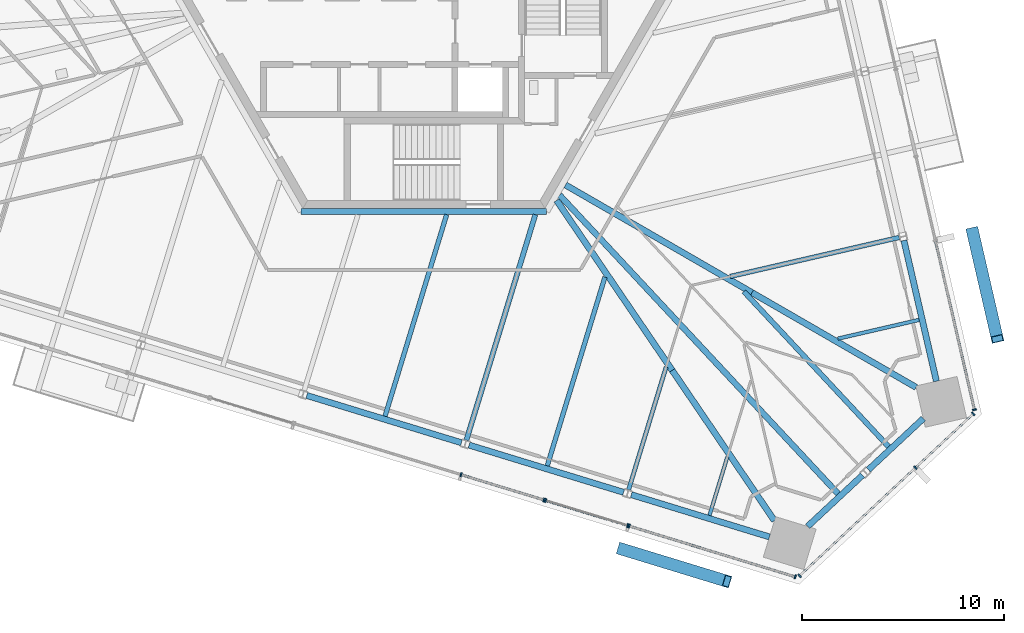
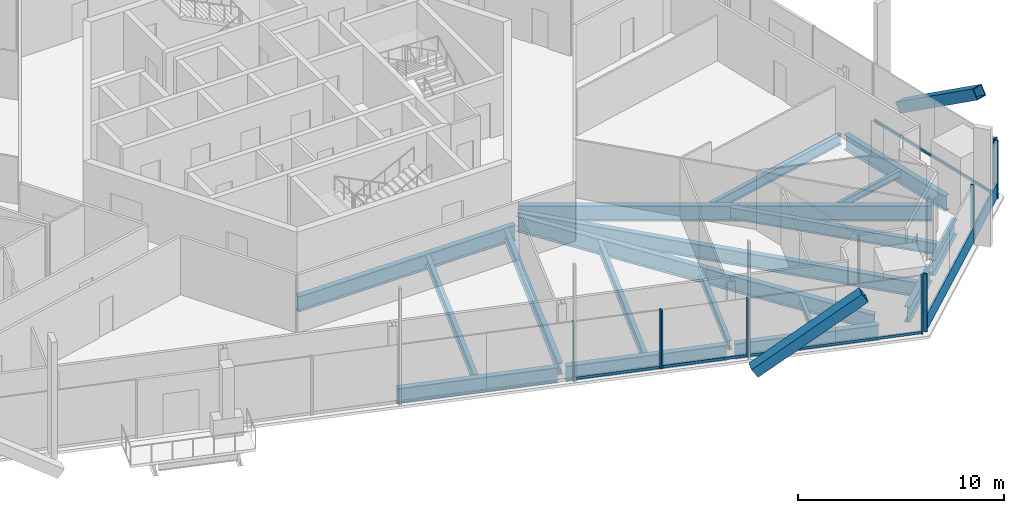
# One storey, part 6 of 24: 20 beams, 18 members, 5 elements without a shape of their own.
"""IFC4 building model written with IfcOpenShell, lengths in metres."""

import ifcopenshell
import ifcopenshell.guid

model = None  # the IFC model being written
_history = None  # IfcOwnerHistory: only IFC2X3 demands one
_inside = {}  # id of a spatial element -> (the spatial element, [elements in it])
_under = {}  # id of a project, library or spatial element -> (it, [spatial elements below it])
_declared = {}  # id of a project -> (the project, [libraries it declares])
_typed = {}  # id of a type object -> (the type object, [elements of that type])
_made_of = {}  # id of a material, layer set ... -> (it, [elements and type objects made of it])


def new_model(schema):
    """Start an empty IFC model of exactly this schema.

    Asked for "IFC4X3", IfcOpenShell would pick the latest addendum, in which some entities
    have other attributes; the version numbers below select the first issue.
    IFC2X3 requires an IfcOwnerHistory on every rooted entity: one is made here for all.
    """
    global model, _history
    if schema == "IFC4X3":
        model = ifcopenshell.file(schema_version=(4, 3, 0, 0))
    else:
        model = ifcopenshell.file(schema=schema)
    _inside.clear()
    _under.clear()
    _declared.clear()
    _typed.clear()
    _made_of.clear()
    _history = None
    if model.schema == "IFC2X3":
        org = make("IfcOrganization", Name="unknown")
        user = make(
            "IfcPersonAndOrganization",
            ThePerson=make("IfcPerson", FamilyName="unknown"),
            TheOrganization=org,
        )
        app = make(
            "IfcApplication",
            ApplicationDeveloper=org,
            Version="unknown",
            ApplicationFullName="unknown",
            ApplicationIdentifier="unknown",
        )
        _history = make(
            "IfcOwnerHistory",
            OwningUser=user,
            OwningApplication=app,
            ChangeAction="ADDED",
            CreationDate=0,
        )
    return model


def make(cls, **values):
    """One entity of the class cls with the attributes given. An attribute that is None is left unset."""
    return model.create_entity(
        cls, **{name: value for name, value in values.items() if value is not None}
    )


def rooted(cls, **values):
    """An entity with a GlobalId (a new one), such as an element, a storey or a relation."""
    return make(cls, GlobalId=ifcopenshell.guid.new(), OwnerHistory=_history, **values)


def si_unit(unit_type, name, prefix=None):
    """IfcSIUnit, for example si_unit("LENGTHUNIT", "METRE", prefix="MILLI")."""
    return make("IfcSIUnit", UnitType=unit_type, Prefix=prefix, Name=name)


def assignment(units):
    """IfcUnitAssignment: the units of a project."""
    return None if units is None else make("IfcUnitAssignment", Units=units)


def point(xyz):
    """IfcCartesianPoint."""
    return None if xyz is None else make("IfcCartesianPoint", Coordinates=xyz)


def direction(xyz):
    """IfcDirection."""
    return None if xyz is None else make("IfcDirection", DirectionRatios=xyz)


def frame(location, z_axis=None, x_axis=None):
    """IfcAxis2Placement3D, a coordinate frame: its origin and axes. An axis left out is left unset."""
    return make(
        "IfcAxis2Placement3D",
        Location=point(location),
        Axis=direction(z_axis),
        RefDirection=direction(x_axis),
    )


def frame_2d(location, x_axis=None):
    """IfcAxis2Placement2D, a coordinate frame in the plane: its origin and x axis."""
    return make(
        "IfcAxis2Placement2D", Location=point(location), RefDirection=direction(x_axis)
    )


def origin():
    """The frame at (0, 0, 0) with its axes left unset."""
    return frame((0.0, 0.0, 0.0))


def origin_2d():
    """The frame at (0, 0) in the plane with its x axis left unset."""
    return frame_2d((0.0, 0.0))


def place(relative_to, where):
    """IfcLocalPlacement: puts the frame where relative to a parent placement (None: the world)."""
    return make(
        "IfcLocalPlacement", PlacementRelTo=relative_to, RelativePlacement=where
    )


def context(
    kind, dimensions, precision=None, world=None, true_north=None, identifier=None
):
    """IfcGeometricRepresentationContext, for example the 3D "Model" context."""
    return make(
        "IfcGeometricRepresentationContext",
        ContextIdentifier=identifier,
        ContextType=kind,
        CoordinateSpaceDimension=dimensions,
        Precision=precision,
        WorldCoordinateSystem=world,
        TrueNorth=true_north,
    )


def subcontext(parent, identifier, kind, view, scale=None):
    """IfcGeometricRepresentationSubContext, for example "Body" below "Model"."""
    return make(
        "IfcGeometricRepresentationSubContext",
        ContextIdentifier=identifier,
        ContextType=kind,
        ParentContext=parent,
        TargetScale=scale,
        TargetView=view,
    )


def project(units=None, contexts=None):
    """IfcProject with its units and contexts."""
    return rooted(
        "IfcProject",
        Name="project",
        RepresentationContexts=contexts,
        UnitsInContext=assignment(units),
    )


def spatial(cls, under=None, at=None, **own):
    """A site, building, storey or space (cls), placed at a placement, below another one or the project."""
    s = rooted(cls, ObjectPlacement=at, **own)
    if under is not None:
        _under.setdefault(under.id(), (under, []))[1].append(s)
    return s


def profile(cls, at=None, kind="AREA", **sizes):
    """A parametric profile (cls). Its sizes go by their IFC names, for example OverallWidth=200.0."""
    return make(cls, ProfileType=kind, Position=at, **sizes)


def rectangle(**sizes):
    """IfcRectangleProfileDef."""
    return profile("IfcRectangleProfileDef", **sizes)


def hollow_rectangle(**sizes):
    """IfcRectangleHollowProfileDef."""
    return profile("IfcRectangleHollowProfileDef", **sizes)


def i_section(**sizes):
    """IfcIShapeProfileDef."""
    return profile("IfcIShapeProfileDef", **sizes)


def extrude(swept, where, along, depth):
    """IfcExtrudedAreaSolid: the profile swept, set in the frame where, extruded along a direction by depth."""
    return make(
        "IfcExtrudedAreaSolid",
        SweptArea=swept,
        Position=where,
        ExtrudedDirection=direction(along),
        Depth=depth,
    )


def shape(context_of_items, identifier, shape_type, items):
    """IfcShapeRepresentation: the items that make up one representation, for example the "Body"."""
    return make(
        "IfcShapeRepresentation",
        ContextOfItems=context_of_items,
        RepresentationIdentifier=identifier,
        RepresentationType=shape_type,
        Items=items,
    )


def source(mapping_origin, context_of_items, identifier, shape_type, items):
    """IfcRepresentationMap: a shape defined once, which mapped items show again and again."""
    return make(
        "IfcRepresentationMap",
        MappingOrigin=mapping_origin,
        MappedRepresentation=shape(context_of_items, identifier, shape_type, items),
    )


def transform(
    local_origin,
    x_axis=None,
    y_axis=None,
    z_axis=None,
    scale=None,
    scale2=None,
    scale3=None,
    uniform=True,
):
    """IfcCartesianTransformationOperator3D, or its non-uniform kind. x_axis, y_axis, z_axis: its Axis1, 2, 3."""
    if uniform:
        return make(
            "IfcCartesianTransformationOperator3D",
            Axis1=direction(x_axis),
            Axis2=direction(y_axis),
            LocalOrigin=point(local_origin),
            Scale=scale,
            Axis3=direction(z_axis),
        )
    return make(
        "IfcCartesianTransformationOperator3DnonUniform",
        Axis1=direction(x_axis),
        Axis2=direction(y_axis),
        LocalOrigin=point(local_origin),
        Scale=scale,
        Axis3=direction(z_axis),
        Scale2=scale2,
        Scale3=scale3,
    )


def mapped(mapping_source, mapping_target):
    """IfcMappedItem: shows the shape of a source again, moved by a transform."""
    return make(
        "IfcMappedItem", MappingSource=mapping_source, MappingTarget=mapping_target
    )


def material(Name=None, Category=None):
    """IfcMaterial."""
    return make("IfcMaterial", Name=Name, Category=Category)


def material_profile(
    of_material, cross_section, Name=None, Category=None, Priority=None
):
    """IfcMaterialProfile: a cross section and its material."""
    return make(
        "IfcMaterialProfile",
        Name=Name,
        Material=of_material,
        Profile=cross_section,
        Priority=Priority,
        Category=Category,
    )


def profile_set(profiles, Name=None, composite=None):
    """IfcMaterialProfileSet."""
    return make(
        "IfcMaterialProfileSet",
        Name=Name,
        MaterialProfiles=profiles,
        CompositeProfile=composite,
    )


def made_of(thing, what):
    """Note that an element or type object is made of a material, layer set ...; save() writes the relation."""
    if what is not None:
        _made_of.setdefault(what.id(), (what, []))[1].append(thing)
    return thing


def type_object(cls, material=None, **own):
    """A type object (cls), such as IfcWallType, which elements share."""
    return made_of(rooted(cls, **own), material)


def element(
    cls,
    number,
    at=None,
    inside=None,
    cuts=None,
    type_object=None,
    material=None,
    context=None,
    identifier="Body",
    shape_type=None,
    held_by="IfcProductDefinitionShape",
    body=None,
    shapes=None,
    **own,
):
    """One element of the class cls, such as IfcWall. Its Tag is "e" and its number.

    at: its placement. inside: the storey or other place that contains it. cuts: it is an
    opening in that element (IfcRelVoidsElement). A single representation is given by context,
    identifier, shape_type and body (its items); several are given by shapes. held_by: the class
    of the entity that holds the representations. save() writes the other relations.
    """
    e = rooted(cls, Tag="e%d" % number, ObjectPlacement=at, **own)
    if body is not None:
        shapes = [shape(context, identifier, shape_type, body)]
    if shapes is not None:
        e.Representation = make(held_by, Representations=shapes)
    if inside is not None:
        _inside.setdefault(inside.id(), (inside, []))[1].append(e)
    if cuts is not None:
        rooted(
            "IfcRelVoidsElement", RelatingBuildingElement=cuts, RelatedOpeningElement=e
        )
    if type_object is not None:
        _typed.setdefault(type_object.id(), (type_object, []))[1].append(e)
    return made_of(e, material)


def aggregate(whole, parts):
    """IfcRelAggregates: a whole, such as a stair, and the parts it consists of."""
    return rooted("IfcRelAggregates", RelatingObject=whole, RelatedObjects=parts)


def save(model, path):
    """Write the relations noted so far, then the file.

    IfcRelAggregates (storeys below a building ...), IfcRelContainedInSpatialStructure (elements
    in a storey), IfcRelDefinesByType, IfcRelAssociatesMaterial and IfcRelDeclares: one each for
    every whole, place, type object, material and project.
    """
    for whole, parts in _under.values():
        aggregate(whole, parts)
    for where, things in _inside.values():
        rooted(
            "IfcRelContainedInSpatialStructure",
            RelatedElements=things,
            RelatingStructure=where,
        )
    for kind, things in _typed.values():
        rooted("IfcRelDefinesByType", RelatedObjects=things, RelatingType=kind)
    for what, things in _made_of.values():
        rooted("IfcRelAssociatesMaterial", RelatedObjects=things, RelatingMaterial=what)
    for by, libraries in _declared.values():
        rooted("IfcRelDeclares", RelatingContext=by, RelatedDefinitions=libraries)
    model.write(path)


model = new_model("IFC4")

# Units and contexts
model_context = context("Model", 3, precision=1e-05, world=origin(), true_north=direction((0.0, 1.0)))
body_context = subcontext(model_context, "Body", "Model", "MODEL_VIEW")
ifc_project = project(units=[si_unit("LENGTHUNIT", "METRE"), si_unit("AREAUNIT", "SQUARE_METRE"), si_unit("VOLUMEUNIT", "CUBIC_METRE"), si_unit("PLANEANGLEUNIT", "RADIAN"), si_unit("MASSUNIT", "GRAM", prefix="KILO")], contexts=[model_context])

# Site, building, storey
site_placement = place(None, origin())
site = spatial("IfcSite", under=ifc_project, at=site_placement, CompositionType="ELEMENT")
building_placement = place(site_placement, origin())
building = spatial("IfcBuilding", under=site, at=building_placement, Name="Triune Harvest Tower", CompositionType="ELEMENT")
storey_placement = place(building_placement, frame((0.0, 0.0, 127.10009765625)))
storey = spatial("IfcBuildingStorey", under=building, at=storey_placement, Name="L32", CompositionType="ELEMENT", Elevation=127.10009765625)

# Beams
ifc_material_1 = material(Name="Steel ASTM A992 Gr 50", Category="steel")
ifc_material_profile_1 = material_profile(ifc_material_1, i_section(OverallWidth=0.3046875, OverallDepth=0.914306640625, WebThickness=0.0166015625, FlangeThickness=0.02587890625, at=origin_2d()), Name="W36x160")
ifc_profile_set_1 = profile_set([ifc_material_profile_1], Name="Steel ASTM A992 Gr 50")
beam_type_1 = type_object("IfcBeamType", Name="CG-1 Core ring girder W36x160", PredefinedType="BEAM", material=ifc_profile_set_1)
shared_shape_1 = source(origin(), body_context, "Body", "SweptSolid", [
    extrude(i_section(OverallWidth=0.3046875, OverallDepth=0.914306640625, WebThickness=0.0166015625, FlangeThickness=0.02587890625, at=origin_2d()), origin(), (0.0, 0.0, 1.0), 12.17578125),
])
beam_1_placement = place(storey_placement, frame((-6.087890625, -10.544677734375, -0.6171875), z_axis=(1.0, 0.0, 0.0), x_axis=(0.0, 1.0, 0.0)))
element("IfcBeam", 1, at=beam_1_placement, inside=storey, type_object=beam_type_1, Name="beam/L32/CG5", PredefinedType="BEAM", context=body_context, shape_type="MappedRepresentation", body=[
    mapped(shared_shape_1, transform((0.0, 0.0, 0.0), scale=1.0)),
])
ifc_material_2 = material(Name="Steel ASTM A992 Gr 50", Category="steel")
ifc_material_profile_2 = material_profile(ifc_material_2, i_section(OverallWidth=0.307373046875, OverallDepth=0.922119140625, WebThickness=0.018310546875, FlangeThickness=0.030029296875, at=origin_2d()), Name="W36x182")
ifc_profile_set_2 = profile_set([ifc_material_profile_2], Name="Steel ASTM A992 Gr 50")
beam_type_2 = type_object("IfcBeamType", Name="HG-2 Hip girder W36x182", PredefinedType="BEAM", material=ifc_profile_set_2)
shared_shape_2 = source(origin(), body_context, "Body", "SweptSolid", [
    extrude(i_section(OverallWidth=0.307373046875, OverallDepth=0.922119140625, WebThickness=0.018310546875, FlangeThickness=0.030029296875, at=origin_2d()), origin(), (0.0, 0.0, 1.0), 10.681640625),
])
beam_2_placement = place(storey_placement, frame((16.27587890625, -14.56640625, -0.62109375), z_axis=(-0.866023441189, 0.500003399299, 0.0), x_axis=(-0.500003399299, -0.866023441189, 0.0)))
element("IfcBeam", 2, at=beam_2_placement, inside=storey, type_object=beam_type_2, Name="beam/L32/HG2", PredefinedType="BEAM", context=body_context, shape_type="MappedRepresentation", body=[
    mapped(shared_shape_2, transform((0.0, 0.0, 0.0), scale=1.0)),
])
shared_shape_3 = source(origin(), body_context, "Body", "SweptSolid", [
    extrude(i_section(OverallWidth=0.307373046875, OverallDepth=0.922119140625, WebThickness=0.018310546875, FlangeThickness=0.030029296875, at=origin_2d()), origin(), (0.0, 0.0, 1.0), 10.194091796875),
])
beam_3_placement = place(storey_placement, frame((12.31640625, -18.4208984375, -0.62109375), z_axis=(-0.562397141719, 0.826867253545, 0.0), x_axis=(-0.826867253545, -0.562397141719, 0.0)))
element("IfcBeam", 3, at=beam_3_placement, inside=storey, type_object=beam_type_2, Name="beam/L32/HG8", PredefinedType="BEAM", context=body_context, shape_type="MappedRepresentation", body=[
    mapped(shared_shape_3, transform((0.0, 0.0, 0.0), scale=1.0)),
])
ifc_material_3 = material(Name="Steel ASTM A992 Gr 50", Category="steel")
ifc_material_profile_3 = material_profile(ifc_material_3, i_section(OverallWidth=0.3046875, OverallDepth=0.914306640625, WebThickness=0.0166015625, FlangeThickness=0.02587890625, at=origin_2d()), Name="W36x160")
ifc_profile_set_3 = profile_set([ifc_material_profile_3], Name="Steel ASTM A992 Gr 50")
beam_type_3 = type_object("IfcBeamType", Name="SB-1 Spandrel beam W36x160", PredefinedType="SPANDREL", material=ifc_profile_set_3)
shared_shape_4 = source(origin(), body_context, "Body", "SweptSolid", [
    extrude(i_section(OverallWidth=0.3046875, OverallDepth=0.914306640625, WebThickness=0.0166015625, FlangeThickness=0.02587890625, at=origin_2d()), origin(), (0.0, 0.0, 1.0), 7.166259765625),
])
beam_4_placement = place(storey_placement, frame((25.42236328125, -18.96044921875, -0.6171875), z_axis=(-0.224949077026, 0.974370521283, 0.0), x_axis=(-0.974370521283, -0.224949077026, 0.0)))
element("IfcBeam", 4, at=beam_4_placement, inside=storey, type_object=beam_type_3, Name="beam/L32/SB1", PredefinedType="SPANDREL", context=body_context, shape_type="MappedRepresentation", body=[
    mapped(shared_shape_4, transform((0.0, 0.0, 0.0), scale=1.0)),
])
shared_shape_5 = source(origin(), body_context, "Body", "SweptSolid", [
    extrude(i_section(OverallWidth=0.3046875, OverallDepth=0.914306640625, WebThickness=0.0166015625, FlangeThickness=0.02587890625, at=origin_2d()), origin(), (0.0, 0.0, 1.0), 8.018310546875),
])
beam_5_placement = place(storey_placement, frame((-5.805908203125, -19.66748046875, -0.6171875), z_axis=(0.956308069579, -0.292360866152, 0.0), x_axis=(0.292360866152, 0.956308069579, 0.0)))
element("IfcBeam", 5, at=beam_5_placement, inside=storey, type_object=beam_type_3, Name="beam/L32/SB20", PredefinedType="SPANDREL", context=body_context, shape_type="MappedRepresentation", body=[
    mapped(shared_shape_5, transform((0.0, 0.0, 0.0), scale=1.0)),
])
shared_shape_6 = source(origin(), body_context, "Body", "SweptSolid", [
    extrude(i_section(OverallWidth=0.3046875, OverallDepth=0.914306640625, WebThickness=0.0166015625, FlangeThickness=0.02587890625, at=origin_2d()), origin(), (0.0, 0.0, 1.0), 8.01806640625),
])
beam_6_placement = place(storey_placement, frame((2.240966796875, -22.127685546875, -0.6171875), z_axis=(0.956305466934, -0.292369379231, 0.0), x_axis=(0.292369379231, 0.956305466934, 0.0)))
element("IfcBeam", 6, at=beam_6_placement, inside=storey, type_object=beam_type_3, Name="beam/L32/SB21", PredefinedType="SPANDREL", context=body_context, shape_type="MappedRepresentation", body=[
    mapped(shared_shape_6, transform((0.0, 0.0, 0.0), scale=1.0)),
])
shared_shape_7 = source(origin(), body_context, "Body", "SweptSolid", [
    extrude(i_section(OverallWidth=0.3046875, OverallDepth=0.914306640625, WebThickness=0.0166015625, FlangeThickness=0.02587890625, at=origin_2d()), origin(), (0.0, 0.0, 1.0), 7.16650390625),
])
beam_7_placement = place(storey_placement, frame((10.287841796875, -24.587646484375, -0.6171875), z_axis=(0.956296811344, -0.292397689137, 0.0), x_axis=(0.292397689137, 0.956296811344, 0.0)))
element("IfcBeam", 7, at=beam_7_placement, inside=storey, type_object=beam_type_3, Name="beam/L32/SB22", PredefinedType="SPANDREL", context=body_context, shape_type="MappedRepresentation", body=[
    mapped(shared_shape_7, transform((0.0, 0.0, 0.0), scale=1.0)),
])
shared_shape_8 = source(origin(), body_context, "Body", "SweptSolid", [
    extrude(i_section(OverallWidth=0.3046875, OverallDepth=0.914306640625, WebThickness=0.0166015625, FlangeThickness=0.02587890625, at=origin_2d()), origin(), (0.0, 0.0, 1.0), 3.72607421875),
])
beam_8_placement = place(storey_placement, frame((19.03173828125, -26.1630859375, -0.6171875), z_axis=(0.731344988612, 0.682007703499, 0.0), x_axis=(-0.682007703499, 0.731344988612, 0.0)))
element("IfcBeam", 8, at=beam_8_placement, inside=storey, type_object=beam_type_3, Name="beam/L32/SB23", PredefinedType="SPANDREL", context=body_context, shape_type="MappedRepresentation", body=[
    mapped(shared_shape_8, transform((0.0, 0.0, 0.0), scale=1.0)),
])
shared_shape_9 = source(origin(), body_context, "Body", "SweptSolid", [
    extrude(i_section(OverallWidth=0.3046875, OverallDepth=0.914306640625, WebThickness=0.0166015625, FlangeThickness=0.02587890625, at=origin_2d()), origin(), (0.0, 0.0, 1.0), 3.726318359375),
])
beam_9_placement = place(storey_placement, frame((22.046630859375, -23.351806640625, -0.6171875), z_axis=(0.731375462482, 0.681975023647, 0.0), x_axis=(-0.681975023647, 0.731375462482, 0.0)))
element("IfcBeam", 9, at=beam_9_placement, inside=storey, type_object=beam_type_3, Name="beam/L32/SB24", PredefinedType="SPANDREL", context=body_context, shape_type="MappedRepresentation", body=[
    mapped(shared_shape_9, transform((0.0, 0.0, 0.0), scale=1.0)),
])
shared_shape_10 = source(origin(), body_context, "Body", "SweptSolid", [
    extrude(i_section(OverallWidth=0.307373046875, OverallDepth=0.922119140625, WebThickness=0.018310546875, FlangeThickness=0.030029296875, at=origin_2d()), origin(), (0.0, 0.0, 1.0), 9.3984375),
])
beam_10_placement = place(storey_placement, frame((24.415283203125, -19.265625, -0.62109375), z_axis=(-0.866028560268, 0.49999453277, 0.0), x_axis=(-0.49999453277, -0.866028560268, 0.0)))
element("IfcBeam", 10, at=beam_10_placement, inside=storey, type_object=beam_type_2, Name="beam/L32/HG1", PredefinedType="BEAM", context=body_context, shape_type="MappedRepresentation", body=[
    mapped(shared_shape_10, transform((0.0, 0.0, 0.0), scale=1.0)),
])
shared_shape_11 = source(origin(), body_context, "Body", "SweptSolid", [
    extrude(i_section(OverallWidth=0.307373046875, OverallDepth=0.922119140625, WebThickness=0.018310546875, FlangeThickness=0.030029296875, at=origin_2d()), origin(), (0.0, 0.0, 1.0), 9.0166015625),
])
beam_11_placement = place(storey_placement, frame((17.3876953125, -25.876220703125, -0.62109375), z_axis=(-0.562436658991, 0.826840374331, 0.0), x_axis=(-0.826840374331, -0.562436658991, 0.0)))
element("IfcBeam", 11, at=beam_11_placement, inside=storey, type_object=beam_type_2, Name="beam/L32/HG7", PredefinedType="BEAM", context=body_context, shape_type="MappedRepresentation", body=[
    mapped(shared_shape_11, transform((0.0, 0.0, 0.0), scale=1.0)),
])
ifc_material_4 = material(Name="Steel ASTM A992 Gr 50", Category="steel")
ifc_material_profile_4 = material_profile(ifc_material_4, i_section(OverallWidth=0.180908203125, OverallDepth=0.41650390625, WebThickness=0.010986328125, FlangeThickness=0.01806640625, at=origin_2d()), Name="W16x57")
ifc_profile_set_4 = profile_set([ifc_material_profile_4], Name="Steel ASTM A992 Gr 50")
beam_type_4 = type_object("IfcBeamType", Name="JT-1 Floor joist W16x57", PredefinedType="JOIST", material=ifc_profile_set_4)
shared_shape_12 = source(origin(), body_context, "Body", "SweptSolid", [
    extrude(i_section(OverallWidth=0.180908203125, OverallDepth=0.41650390625, WebThickness=0.010986328125, FlangeThickness=0.01806640625, at=origin_2d()), origin(), (0.0, 0.0, 1.0), 4.1337890625),
])
beam_12_placement = place(storey_placement, frame((24.563720703125, -15.91845703125, -0.368408203125), z_axis=(-0.974368296684, -0.224958712697, 0.0), x_axis=(0.224958712697, -0.974368296684, 0.0)))
element("IfcBeam", 12, at=beam_12_placement, inside=storey, type_object=beam_type_4, Name="beam/L32/JT1", PredefinedType="JOIST", context=body_context, shape_type="MappedRepresentation", body=[
    mapped(shared_shape_12, transform((0.0, 0.0, 0.0), scale=1.0)),
])
ifc_material_5 = material(Name="Steel ASTM A992 Gr 50", Category="steel")
ifc_material_profile_5 = material_profile(ifc_material_5, i_section(OverallWidth=0.22900390625, OverallDepth=0.612060546875, WebThickness=0.011962890625, FlangeThickness=0.01953125, at=origin_2d()), Name="W24x84")
ifc_profile_set_5 = profile_set([ifc_material_profile_5], Name="Steel ASTM A992 Gr 50")
beam_type_5 = type_object("IfcBeamType", Name="JT-3 Floor joist W24x84", PredefinedType="JOIST", material=ifc_profile_set_5)
shared_shape_13 = source(origin(), body_context, "Body", "SweptSolid", [
    extrude(i_section(OverallWidth=0.22900390625, OverallDepth=0.612060546875, WebThickness=0.011962890625, FlangeThickness=0.01953125, at=origin_2d()), origin(), (0.0, 0.0, 1.0), 8.607421875),
])
beam_13_placement = place(storey_placement, frame((23.580078125, -11.82763671875, -0.46630859375), z_axis=(-0.97436872252, -0.224956868255, 0.0), x_axis=(0.224956868255, -0.97436872252, 0.0)))
element("IfcBeam", 13, at=beam_13_placement, inside=storey, type_object=beam_type_5, Name="beam/L32/JT2", PredefinedType="JOIST", context=body_context, shape_type="MappedRepresentation", body=[
    mapped(shared_shape_13, transform((0.0, 0.0, 0.0), scale=1.0)),
])
shared_shape_14 = source(origin(), body_context, "Body", "SweptSolid", [
    extrude(i_section(OverallWidth=0.22900390625, OverallDepth=0.612060546875, WebThickness=0.011962890625, FlangeThickness=0.01953125, at=origin_2d()), origin(), (0.0, 0.0, 1.0), 10.45361328125),
])
beam_14_placement = place(storey_placement, frame((-1.92724609375, -20.69384765625, -0.46630859375), z_axis=(0.29235559587, 0.956309680785, 0.0), x_axis=(-0.956309680785, 0.29235559587, 0.0)))
element("IfcBeam", 14, at=beam_14_placement, inside=storey, type_object=beam_type_5, Name="beam/L32/JT33", PredefinedType="JOIST", context=body_context, shape_type="MappedRepresentation", body=[
    mapped(shared_shape_14, transform((0.0, 0.0, 0.0), scale=1.0)),
])
shared_shape_15 = source(origin(), body_context, "Body", "SweptSolid", [
    extrude(i_section(OverallWidth=0.22900390625, OverallDepth=0.612060546875, WebThickness=0.011962890625, FlangeThickness=0.01953125, at=origin_2d()), origin(), (0.0, 0.0, 1.0), 9.790283203125),
])
beam_15_placement = place(storey_placement, frame((6.119384765625, -23.154052734375, -0.46630859375), z_axis=(0.292383884863, 0.956301032036, 0.0), x_axis=(-0.956301032036, 0.292383884863, 0.0)))
element("IfcBeam", 15, at=beam_15_placement, inside=storey, type_object=beam_type_5, Name="beam/L32/JT35", PredefinedType="JOIST", context=body_context, shape_type="MappedRepresentation", body=[
    mapped(shared_shape_15, transform((0.0, 0.0, 0.0), scale=1.0)),
])
ifc_material_6 = material(Name="Steel ASTM A992 Gr 50", Category="steel")
ifc_material_profile_6 = material_profile(ifc_material_6, i_section(OverallWidth=0.253662109375, OverallDepth=0.683349609375, WebThickness=0.012451171875, FlangeThickness=0.01904296875, at=origin_2d()), Name="W27x94")
ifc_profile_set_6 = profile_set([ifc_material_profile_6], Name="Steel ASTM A992 Gr 50")
beam_type_6 = type_object("IfcBeamType", Name="JT-4 Floor joist W27x94", PredefinedType="JOIST", material=ifc_profile_set_6)
shared_shape_16 = source(origin(), body_context, "Body", "SweptSolid", [
    extrude(i_section(OverallWidth=0.253662109375, OverallDepth=0.683349609375, WebThickness=0.012451171875, FlangeThickness=0.01904296875, at=origin_2d()), origin(), (0.0, 0.0, 1.0), 11.70166015625),
])
beam_16_placement = place(storey_placement, frame((2.107177734375, -21.887451171875, -0.501708984375), z_axis=(0.292381788251, 0.956301673061, 0.0), x_axis=(-0.956301673061, 0.292381788251, 0.0)))
element("IfcBeam", 16, at=beam_16_placement, inside=storey, type_object=beam_type_6, Name="beam/L32/JT34", PredefinedType="JOIST", context=body_context, shape_type="MappedRepresentation", body=[
    mapped(shared_shape_16, transform((0.0, 0.0, 0.0), scale=1.0)),
])
ifc_material_7 = material(Name="Steel ASTM A992 Gr 50", Category="steel")
ifc_material_profile_7 = material_profile(ifc_material_7, i_section(OverallWidth=0.2099609375, OverallDepth=0.535888671875, WebThickness=0.010986328125, FlangeThickness=0.017333984375, at=origin_2d()), Name="W21x68")
ifc_profile_set_7 = profile_set([ifc_material_profile_7], Name="Steel ASTM A992 Gr 50")
beam_type_7 = type_object("IfcBeamType", Name="JT-2 Floor joist W21x68", PredefinedType="JOIST", material=ifc_profile_set_7)
shared_shape_17 = source(origin(), body_context, "Body", "SweptSolid", [
    extrude(i_section(OverallWidth=0.2099609375, OverallDepth=0.535888671875, WebThickness=0.010986328125, FlangeThickness=0.017333984375, at=origin_2d()), origin(), (0.0, 0.0, 1.0), 6.3720703125),
])
beam_17_placement = place(storey_placement, frame((10.154052734375, -24.34765625, -0.427978515625), z_axis=(0.292370379947, 0.956305160986, 0.0), x_axis=(-0.956305160986, 0.292370379947, 0.0)))
element("IfcBeam", 17, at=beam_17_placement, inside=storey, type_object=beam_type_7, Name="beam/L32/JT36", PredefinedType="JOIST", context=body_context, shape_type="MappedRepresentation", body=[
    mapped(shared_shape_17, transform((0.0, 0.0, 0.0), scale=1.0)),
])
ifc_material_8 = material(Name="Steel ASTM A992 Gr 50", Category="steel")
ifc_material_profile_8 = material_profile(ifc_material_8, i_section(OverallWidth=0.2919921875, OverallDepth=0.8583984375, WebThickness=0.01708984375, FlangeThickness=0.031005859375, at=origin_2d()), Name="W33x169")
ifc_profile_set_8 = profile_set([ifc_material_profile_8], Name="Steel ASTM A992 Gr 50")
beam_type_8 = type_object("IfcBeamType", Name="JT-7 Floor joist W33x169", PredefinedType="JOIST", material=ifc_profile_set_8)
shared_shape_18 = source(origin(), body_context, "Body", "SweptSolid", [
    extrude(i_section(OverallWidth=0.2919921875, OverallDepth=0.8583984375, WebThickness=0.01708984375, FlangeThickness=0.031005859375, at=origin_2d()), origin(), (0.0, 0.0, 1.0), 20.25244140625),
])
beam_18_placement = place(storey_placement, frame((20.545654296875, -24.54296875, -0.58935546875), z_axis=(-0.681993474081, 0.73135825784, 0.0), x_axis=(-0.73135825784, -0.681993474081, 0.0)))
element("IfcBeam", 18, at=beam_18_placement, inside=storey, type_object=beam_type_8, Name="beam/L32/JT38", PredefinedType="JOIST", context=body_context, shape_type="MappedRepresentation", body=[
    mapped(shared_shape_18, transform((0.0, 0.0, 0.0), scale=1.0)),
])
shared_shape_19 = source(origin(), body_context, "Body", "SweptSolid", [
    extrude(i_section(OverallWidth=0.253662109375, OverallDepth=0.683349609375, WebThickness=0.012451171875, FlangeThickness=0.01904296875, at=origin_2d()), origin(), (0.0, 0.0, 1.0), 10.52294921875),
])
beam_19_placement = place(storey_placement, frame((23.05029296875, -22.20751953125, -0.501708984375), z_axis=(-0.682013989315, 0.731339126793, 0.0), x_axis=(-0.731339126793, -0.682013989315, 0.0)))
element("IfcBeam", 19, at=beam_19_placement, inside=storey, type_object=beam_type_6, Name="beam/L32/JT39", PredefinedType="JOIST", context=body_context, shape_type="MappedRepresentation", body=[
    mapped(shared_shape_19, transform((0.0, 0.0, 0.0), scale=1.0)),
])
shared_shape_20 = source(origin(), body_context, "Body", "SweptSolid", [
    extrude(i_section(OverallWidth=0.180908203125, OverallDepth=0.41650390625, WebThickness=0.010986328125, FlangeThickness=0.01806640625, at=origin_2d()), origin(), (0.0, 0.0, 1.0), 3.030029296875),
])
beam_20_placement = place(storey_placement, frame((14.166259765625, -25.614013671875, -0.368408203125), z_axis=(0.2923925234, 0.956298390807, 0.0), x_axis=(-0.956298390807, 0.2923925234, 0.0)))
element("IfcBeam", 20, at=beam_20_placement, inside=storey, type_object=beam_type_4, Name="beam/L32/JT37", PredefinedType="JOIST", context=body_context, shape_type="MappedRepresentation", body=[
    mapped(shared_shape_20, transform((0.0, 0.0, 0.0), scale=1.0)),
])

# Members
ifc_material_9 = material(Name="Steel ASTM A572 Gr 50", Category="steel")
ifc_material_profile_9 = material_profile(ifc_material_9, hollow_rectangle(XDim=0.60009765625, YDim=0.60009765625, WallThickness=0.0400390625, at=origin_2d()), Name="Box 600x600x40")
ifc_profile_set_9 = profile_set([ifc_material_profile_9], Name="Steel ASTM A572 Gr 50")
member_type_1 = type_object("IfcMemberType", Name="BR-2 Brace Box 600x600x40", PredefinedType="BRACE", material=ifc_profile_set_9)
shared_shape_21 = source(origin(), body_context, "Body", "SweptSolid", [
    extrude(hollow_rectangle(XDim=0.60009765625, YDim=0.60009765625, WallThickness=0.0400390625, at=origin_2d()), origin(), (0.0, 0.0, 1.0), 6.56640625),
])
for number, where, z_axis, x_axis, name in (
    (21, (27.2099609375, -11.505859375, 0.0), (0.188134834296, -0.814891534243, 0.548230856067), (0.974369462042, 0.224953665097, 0.0), "brace/B3-F1/d2/9"),
    (22, (9.784423828125, -27.27685546875, 0.0), (0.799791482441, -0.244499502047, 0.548227669964), (0.292348421026, 0.956311874193, 0.0), "brace/B3-F5/d1/9"),
):
    element("IfcMember", number, at=place(storey_placement, frame(where, z_axis=z_axis, x_axis=x_axis)), inside=storey, type_object=member_type_1, Name=name, PredefinedType="BRACE", context=body_context, shape_type="MappedRepresentation", body=[
        mapped(shared_shape_21, transform((0.0, 0.0, 0.0), scale=1.0)),
    ])

# Curtain wall, members
ifc_material_10 = material(Name="Aluminium bronze anodised", Category="aluminium")
curtain_wall_type_1 = type_object("IfcCurtainWallType", Name="CW-7 Tower stick curtain wall with insulated spandrel infill", PredefinedType="NOTDEFINED", material=ifc_material_10)
curtain_wall_1_placement = place(storey_placement, origin())
curtain_wall_1 = element("IfcCurtainWall", 23, at=curtain_wall_1_placement, inside=storey, type_object=curtain_wall_type_1, Name="CW-7 B3-F6 L32 run 1")
ifc_material_11 = material(Name="Aluminium bronze anodised", Category="aluminium")
ifc_material_profile_10 = material_profile(ifc_material_11, rectangle(XDim=0.199951171875, YDim=0.074951171875, at=origin_2d()), Name="MU-1 mullion 75 x 200")
ifc_profile_set_10 = profile_set([ifc_material_profile_10], Name="Aluminium bronze anodised")
member_type_2 = type_object("IfcMemberType", Name="MU-1 mullion 75 x 200", PredefinedType="MULLION", material=ifc_profile_set_10)
shared_shape_22 = source(origin(), body_context, "Body", "SweptSolid", [
    extrude(rectangle(XDim=0.199951171875, YDim=0.074951171875, at=origin_2d()), origin(), (0.0, 0.0, 1.0), 3.43994140625),
])
member_1_placement = place(storey_placement, frame((18.6328125, -28.61181640625, 0.0), z_axis=(0.0, 0.0, 1.0), x_axis=(-0.682002387287, 0.731349946151, 0.0)))
member_1 = element("IfcMember", 24, at=member_1_placement, type_object=member_type_2, Name="CW-7 mullion B3-F6 1.1", PredefinedType="MULLION", context=body_context, shape_type="MappedRepresentation", body=[
    mapped(shared_shape_22, transform((0.0, 0.0, 0.0), scale=1.0)),
])
member_2_placement = place(storey_placement, frame((24.381591796875, -23.2509765625, 0.0), z_axis=(0.0, 0.0, 1.0), x_axis=(-0.682002387287, 0.731349946151, 0.0)))
member_2 = element("IfcMember", 25, at=member_2_placement, type_object=member_type_2, Name="CW-7 mullion B3-F6 1.3", PredefinedType="MULLION", context=body_context, shape_type="MappedRepresentation", body=[
    mapped(shared_shape_22, transform((0.0, 0.0, 0.0), scale=1.0)),
])
member_3_placement = place(storey_placement, frame((27.2421875, -20.583251953125, 0.0), z_axis=(0.0, 0.0, 1.0), x_axis=(-0.682002387287, 0.731349946151, 0.0)))
member_3 = element("IfcMember", 26, at=member_3_placement, type_object=member_type_2, Name="CW-7 mullion B3-F6 1.4", PredefinedType="MULLION", context=body_context, shape_type="MappedRepresentation", body=[
    mapped(shared_shape_22, transform((0.0, 0.0, 0.0), scale=1.0)),
])

# Curtain wall, member
ifc_material_12 = material(Name="Aluminium bronze anodised", Category="aluminium")
curtain_wall_type_2 = type_object("IfcCurtainWallType", Name="CW-10 Balcony window wall with insulated spandrel infill", PredefinedType="NOTDEFINED", material=ifc_material_12)
curtain_wall_2_placement = place(storey_placement, origin())
curtain_wall_2 = element("IfcCurtainWall", 27, at=curtain_wall_2_placement, inside=storey, type_object=curtain_wall_type_2, Name="CW-10 B3-F1 L32 run 1")
ifc_material_13 = material(Name="Aluminium bronze anodised", Category="aluminium")
ifc_material_profile_11 = material_profile(ifc_material_13, rectangle(XDim=0.199951171875, YDim=0.074951171875, at=origin_2d()), Name="MU-6 mullion 75 x 200")
ifc_profile_set_11 = profile_set([ifc_material_profile_11], Name="Aluminium bronze anodised")
member_type_3 = type_object("IfcMemberType", Name="MU-6 mullion 75 x 200", PredefinedType="MULLION", material=ifc_profile_set_11)
shared_shape_23 = source(origin(), body_context, "Body", "SweptSolid", [
    extrude(rectangle(XDim=0.199951171875, YDim=0.074951171875, at=origin_2d()), origin(), (0.0, 0.0, 1.0), 3.43994140625),
])
member_4_placement = place(storey_placement, frame((27.306884765625, -20.3720703125, 0.0), z_axis=(0.0, 0.0, 1.0), x_axis=(-0.974370027263, -0.22495121687, 0.0)))
member_4 = element("IfcMember", 28, at=member_4_placement, type_object=member_type_3, Name="CW-10 mullion B3-F1 1.1", PredefinedType="MULLION", context=body_context, shape_type="MappedRepresentation", body=[
    mapped(shared_shape_23, transform((0.0, 0.0, 0.0), scale=1.0)),
])

# Curtain wall, members
curtain_wall_3_placement = place(storey_placement, origin())
curtain_wall_3 = element("IfcCurtainWall", 29, at=curtain_wall_3_placement, inside=storey, type_object=curtain_wall_type_2, Name="CW-10 B3-F5 L32 run 2002")
member_5_placement = place(storey_placement, frame((1.843994140625, -23.59423828125, 0.0), z_axis=(0.0, 0.0, 1.0), x_axis=(0.292368317667, 0.956305791483, 0.0)))
member_5 = element("IfcMember", 30, at=member_5_placement, type_object=member_type_3, Name="CW-10 mullion B3-F5 2002.3", PredefinedType="MULLION", context=body_context, shape_type="MappedRepresentation", body=[
    mapped(shared_shape_23, transform((0.0, 0.0, 0.0), scale=1.0)),
])
member_6_placement = place(storey_placement, frame((5.96044921875, -24.852783203125, 0.0), z_axis=(0.0, 0.0, 1.0), x_axis=(0.292368317667, 0.956305791483, 0.0)))
member_6 = element("IfcMember", 31, at=member_6_placement, type_object=member_type_3, Name="CW-10 mullion B3-F5 2002.4", PredefinedType="MULLION", context=body_context, shape_type="MappedRepresentation", body=[
    mapped(shared_shape_23, transform((0.0, 0.0, 0.0), scale=1.0)),
])

ifc_material_14 = material(Name="Aluminium bronze anodised", Category="aluminium")
curtain_wall_type_3 = type_object("IfcCurtainWallType", Name="CW-6 Balcony window wall", PredefinedType="NOTDEFINED", material=ifc_material_14)
curtain_wall_4_placement = place(storey_placement, origin())
curtain_wall_4 = element("IfcCurtainWall", 32, at=curtain_wall_4_placement, inside=storey, type_object=curtain_wall_type_3, Name="CW-6 B3-F5 L32 run 3002")
member_7_placement = place(storey_placement, frame((6.0322265625, -24.874755859375, 0.0), z_axis=(0.0, 0.0, 1.0), x_axis=(0.292368317667, 0.956305791483, 0.0)))
member_7 = element("IfcMember", 33, at=member_7_placement, type_object=member_type_3, Name="CW-6 mullion B3-F5 3002.1", PredefinedType="MULLION", context=body_context, shape_type="MappedRepresentation", body=[
    mapped(shared_shape_23, transform((0.0, 0.0, 0.0), scale=1.0)),
])
member_8_placement = place(storey_placement, frame((10.113037109375, -26.122314453125, 0.0), z_axis=(0.0, 0.0, 1.0), x_axis=(0.292368317667, 0.956305791483, 0.0)))
member_8 = element("IfcMember", 34, at=member_8_placement, type_object=member_type_3, Name="CW-6 mullion B3-F5 3002.2", PredefinedType="MULLION", context=body_context, shape_type="MappedRepresentation", body=[
    mapped(shared_shape_23, transform((0.0, 0.0, 0.0), scale=1.0)),
])

curtain_wall_5_placement = place(storey_placement, origin())
curtain_wall_5 = element("IfcCurtainWall", 35, at=curtain_wall_5_placement, inside=storey, type_object=curtain_wall_type_2, Name="CW-10 B3-F5 L32 run 4002")
member_9_placement = place(storey_placement, frame((10.1845703125, -26.144287109375, 0.0), z_axis=(0.0, 0.0, 1.0), x_axis=(0.292379584777, 0.956302346753, 0.0)))
member_9 = element("IfcMember", 36, at=member_9_placement, type_object=member_type_3, Name="CW-10 mullion B3-F5 4002.1", PredefinedType="MULLION", context=body_context, shape_type="MappedRepresentation", body=[
    mapped(shared_shape_23, transform((0.0, 0.0, 0.0), scale=1.0)),
])
member_10_placement = place(storey_placement, frame((18.417724609375, -28.661376953125, 0.0), z_axis=(0.0, 0.0, 1.0), x_axis=(0.292379584777, 0.956302346753, 0.0)))
member_10 = element("IfcMember", 37, at=member_10_placement, type_object=member_type_3, Name="CW-10 mullion B3-F5 4002.3", PredefinedType="MULLION", context=body_context, shape_type="MappedRepresentation", body=[
    mapped(shared_shape_23, transform((0.0, 0.0, 0.0), scale=1.0)),
])

# Member
ifc_material_15 = material(Name="Aluminium bronze anodised", Category="aluminium")
ifc_material_profile_12 = material_profile(ifc_material_15, rectangle(XDim=0.090087890625, YDim=0.89990234375, at=origin_2d()), Name="TR-1 transom 90 x 900")
ifc_profile_set_12 = profile_set([ifc_material_profile_12], Name="Aluminium bronze anodised")
member_type_4 = type_object("IfcMemberType", Name="TR-1 transom 90 x 900", PredefinedType="USERDEFINED", material=ifc_profile_set_12)
shared_shape_24 = source(origin(), body_context, "Body", "SweptSolid", [
    extrude(rectangle(XDim=0.090087890625, YDim=0.89990234375, at=origin_2d()), origin(), (0.0, 0.0, 1.0), 7.78564453125),
])
member_11_placement = place(storey_placement, frame((18.66015625, -28.586181640625, 0.449951171875), z_axis=(0.731354473546, 0.681997532271, 0.0), x_axis=(-0.681997532271, 0.731354473546, 0.0)))
member_11 = element("IfcMember", 38, at=member_11_placement, type_object=member_type_4, Name="CW-7 transom B3-F6 1.1", ObjectType="TRANSOM", PredefinedType="USERDEFINED", context=body_context, shape_type="MappedRepresentation", body=[
    mapped(shared_shape_24, transform((0.0, 0.0, 0.0), scale=1.0)),
])

shared_shape_25 = source(origin(), body_context, "Body", "SweptSolid", [
    extrude(rectangle(XDim=0.090087890625, YDim=0.89990234375, at=origin_2d()), origin(), (0.0, 0.0, 1.0), 3.83642578125),
])
member_12_placement = place(storey_placement, frame((24.408935546875, -23.225341796875, 0.449951171875), z_axis=(0.73136626704, 0.681984885049, 0.0), x_axis=(-0.681984885049, 0.73136626704, 0.0)))
member_12 = element("IfcMember", 39, at=member_12_placement, type_object=member_type_4, Name="CW-7 transom B3-F6 1.2", ObjectType="TRANSOM", PredefinedType="USERDEFINED", context=body_context, shape_type="MappedRepresentation", body=[
    mapped(shared_shape_25, transform((0.0, 0.0, 0.0), scale=1.0)),
])

aggregate(curtain_wall_1, [member_1, member_2, member_3, member_11, member_12])

ifc_material_16 = material(Name="Aluminium bronze anodised", Category="aluminium")
ifc_material_profile_13 = material_profile(ifc_material_16, rectangle(XDim=0.090087890625, YDim=0.14990234375, at=origin_2d()), Name="TR-6 transom 90 x 150")
ifc_profile_set_13 = profile_set([ifc_material_profile_13], Name="Aluminium bronze anodised")
member_type_5 = type_object("IfcMemberType", Name="TR-6 transom 90 x 150", PredefinedType="USERDEFINED", material=ifc_profile_set_13)
shared_shape_26 = source(origin(), body_context, "Body", "SweptSolid", [
    extrude(rectangle(XDim=0.090087890625, YDim=0.14990234375, at=origin_2d()), origin(), (0.0, 0.0, 1.0), 8.5341796875),
])
member_13_placement = place(storey_placement, frame((27.29833984375, -20.33544921875, 0.074951171875), z_axis=(-0.224940989151, 0.974372388463, 0.0), x_axis=(-0.974372388463, -0.224940989151, 0.0)))
member_13 = element("IfcMember", 40, at=member_13_placement, type_object=member_type_5, Name="CW-10 transom B3-F1 1.1", ObjectType="TRANSOM", PredefinedType="USERDEFINED", context=body_context, shape_type="MappedRepresentation", body=[
    mapped(shared_shape_26, transform((0.0, 0.0, 0.0), scale=1.0)),
])

aggregate(curtain_wall_2, [member_4, member_13])

member_14_placement = place(storey_placement, frame((10.220458984375, -26.1552734375, 0.074951171875), z_axis=(0.956306923119, -0.29236461618, 0.0), x_axis=(0.29236461618, 0.956306923119, 0.0)))
member_14 = element("IfcMember", 41, at=member_14_placement, type_object=member_type_5, Name="CW-10 transom B3-F5 4002.1", ObjectType="TRANSOM", PredefinedType="USERDEFINED", context=body_context, shape_type="MappedRepresentation", body=[
    mapped(shared_shape_26, transform((0.0, 0.0, 0.0), scale=1.0)),
])

aggregate(curtain_wall_5, [member_9, member_10, member_14])

shared_shape_27 = source(origin(), body_context, "Body", "SweptSolid", [
    extrude(rectangle(XDim=0.090087890625, YDim=0.14990234375, at=origin_2d()), origin(), (0.0, 0.0, 1.0), 4.2294921875),
])
member_15_placement = place(storey_placement, frame((1.8798828125, -23.605224609375, 0.074951171875), z_axis=(0.956305404756, -0.292369582609, 0.0), x_axis=(0.292369582609, 0.956305404756, 0.0)))
member_15 = element("IfcMember", 42, at=member_15_placement, type_object=member_type_5, Name="CW-10 transom B3-F5 2002.2", ObjectType="TRANSOM", PredefinedType="USERDEFINED", context=body_context, shape_type="MappedRepresentation", body=[
    mapped(shared_shape_27, transform((0.0, 0.0, 0.0), scale=1.0)),
])

aggregate(curtain_wall_3, [member_5, member_6, member_15])

shared_shape_28 = source(origin(), body_context, "Body", "SweptSolid", [
    extrude(rectangle(XDim=0.090087890625, YDim=0.14990234375, at=origin_2d()), origin(), (0.0, 0.0, 1.0), 4.192138671875),
])
member_16_placement = place(storey_placement, frame((6.068115234375, -24.8857421875, 0.074951171875), z_axis=(0.956311326195, -0.292350213598, 0.0), x_axis=(0.292350213598, 0.956311326195, 0.0)))
member_16 = element("IfcMember", 43, at=member_16_placement, type_object=member_type_5, Name="CW-6 transom B3-F5 3002.1", ObjectType="TRANSOM", PredefinedType="USERDEFINED", context=body_context, shape_type="MappedRepresentation", body=[
    mapped(shared_shape_28, transform((0.0, 0.0, 0.0), scale=1.0)),
])

aggregate(curtain_wall_4, [member_7, member_8, member_16])

save(model, "model.ifc")
